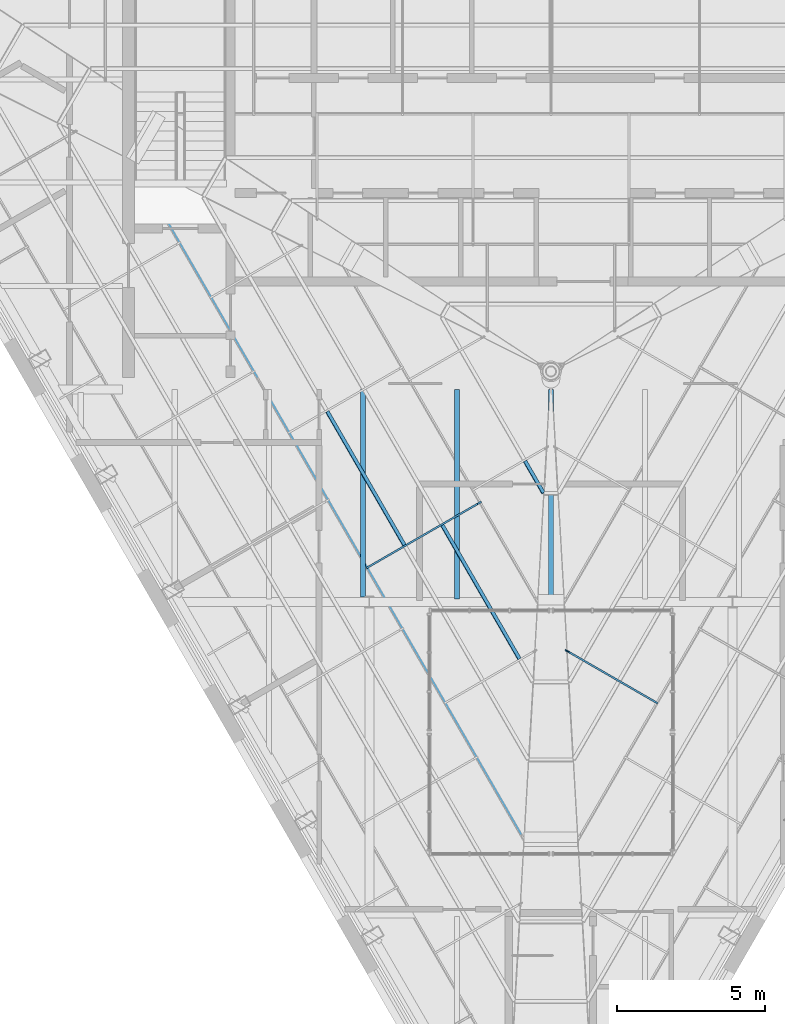
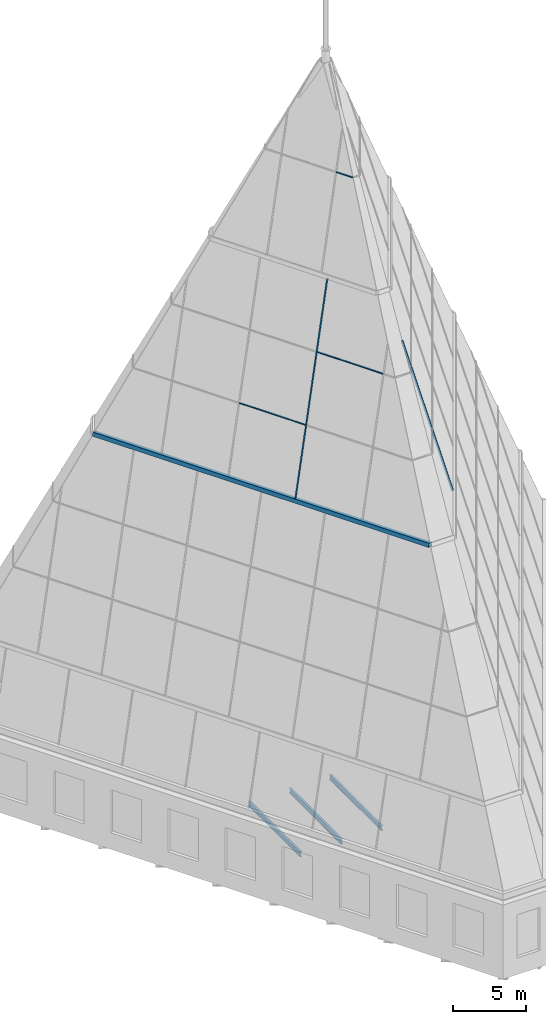
# One storey, part 15 of 36: 6 members, 3 beams, 4 elements without a shape of their own.
"""IFC4 building model written with IfcOpenShell, lengths in metres."""

from ifc_helpers import new_model, si_unit, direction, frame, origin, origin_2d, place, context, subcontext, project, spatial, rectangle, hollow_rectangle, i_section, extrude, clip, halfspace, material, layer, layer_set, material_profile, profile_set, type_object, element, aggregate, save


model = new_model("IFC4")

# Units and contexts
model_context = context("Model", 3, precision=1e-05, world=origin(), true_north=direction((0.0, 1.0)))
body_context = subcontext(model_context, "Body", "Model", "MODEL_VIEW")
ifc_project = project(units=[si_unit("LENGTHUNIT", "METRE"), si_unit("AREAUNIT", "SQUARE_METRE"), si_unit("VOLUMEUNIT", "CUBIC_METRE"), si_unit("PLANEANGLEUNIT", "RADIAN"), si_unit("MASSUNIT", "GRAM", prefix="KILO")], contexts=[model_context])

# Site, building, storey
site_placement = place(None, origin())
site = spatial("IfcSite", under=ifc_project, at=site_placement, CompositionType="ELEMENT")
building_placement = place(site_placement, origin())
building = spatial("IfcBuilding", under=site, at=building_placement, Name="Njiva Tower", CompositionType="ELEMENT")
storey_placement = place(building_placement, frame((0.0, 0.0, 337.8)))
storey = spatial("IfcBuildingStorey", under=building, at=storey_placement, Name="L77", CompositionType="ELEMENT", Elevation=337.8)

# Beams
ifc_material_1 = material(Name="Steel S355 J2", Category="steel")
ifc_material_profile_1 = material_profile(ifc_material_1, i_section(OverallWidth=0.18, OverallDepth=0.4, WebThickness=0.0086, FlangeThickness=0.0135, at=origin_2d()), Name="IPE 400")
ifc_profile_set_1 = profile_set([ifc_material_profile_1], Name="Steel S355 J2")
beam_type = type_object("IfcBeamType", Name="B63 Floor joist IPE 400", PredefinedType="JOIST", material=ifc_profile_set_1)
beam_placement = place(storey_placement, frame((-6.367, 3.995, -0.4), z_axis=(0.0, -1.0, 0.0), x_axis=(1.0, 0.0, 0.0)))
element("IfcBeam", 1, at=beam_placement, inside=storey, type_object=beam_type, Name="Floor joist CR-B039", PredefinedType="JOIST", context=body_context, shape_type="SweptSolid", body=[
    extrude(i_section(OverallWidth=0.18, OverallDepth=0.4, WebThickness=0.0086, FlangeThickness=0.0135, at=origin_2d()), origin(), (0.0, 0.0, 1.0), 7.02),
])
for number, where, z_axis, x_axis, name in (
    (2, (-3.183, 3.995, -0.4), (0.0, -1.0, 0.0), (1.0, 0.0, 0.0), "Floor joist CR-B041"),
    (3, (0.0, 3.995, -0.4), (0.0, -1.0, 0.0), (1.0, 0.0, 0.0), "Floor joist CR-B042"),
):
    element("IfcBeam", number, at=place(storey_placement, frame(where, z_axis=z_axis, x_axis=x_axis)), inside=storey, type_object=beam_type, Name=name, PredefinedType="JOIST", context=body_context, shape_type="SweptSolid", body=[
        extrude(i_section(OverallWidth=0.18, OverallDepth=0.4, WebThickness=0.0086, FlangeThickness=0.0135, at=origin_2d()), origin(), (0.0, 0.0, 1.0), 7.095),
    ])

# Curtain wall, member
ifc_material_2 = material(Name="Glazed curtain wall", Category="glass")
ifc_layer = layer(ifc_material_2, 0.16)
ifc_layer_set = layer_set([ifc_layer], Name="Glazed curtain wall")
curtain_wall_type = type_object("IfcCurtainWallType", Name="CW2 Crown glazing, faceted point, long faces", PredefinedType="NOTDEFINED", material=ifc_layer_set)
curtain_wall_1_placement = place(storey_placement, origin())
curtain_wall_1 = element("IfcCurtainWall", 4, at=curtain_wall_1_placement, inside=storey, type_object=curtain_wall_type, Name="Crown glazing face SW tier 3", PredefinedType="NOTDEFINED")
ifc_material_3 = material(Name="Aluminium mullion", Category="aluminium")
ifc_material_profile_2 = material_profile(ifc_material_3, rectangle(XDim=0.16, YDim=0.06, at=origin_2d()), Name="RECT 160x60")
ifc_profile_set_2 = profile_set([ifc_material_profile_2], Name="Aluminium mullion")
member_type_1 = type_object("IfcMemberType", Name="CW2-M Crown glazing mullion 160x60", PredefinedType="MULLION", material=ifc_profile_set_2)
member_1_placement = place(storey_placement, frame((-6.1851, -2.01, 28.6446), z_axis=(0.230730676449, 0.133215079061, 0.963855330253), x_axis=(-0.834719033186, -0.48193488491, 0.266426166777)))
member_1 = element("IfcMember", 5, at=member_1_placement, type_object=member_type_1, Name="CW2-33 mullion 3", PredefinedType="MULLION", context=body_context, shape_type="Clipping", body=[
    clip(clip(extrude(rectangle(XDim=0.16, YDim=0.06, at=origin_2d()), origin(), (0.0, 0.0, 1.0), 16.3), halfspace(frame((0.08, 0.0, 0.0), z_axis=(2.403674e-06, -2.304212e-06, -0.999999999994), x_axis=(0.0, -0.999999999997, 2.304212e-06)), False)), halfspace(frame((0.08, 0.0, 16.3), z_axis=(-2.403674e-06, 2.304212e-06, 0.999999999994), x_axis=(0.0, 0.999999999997, -2.304212e-06)), False)),
])

curtain_wall_2_placement = place(storey_placement, origin())
curtain_wall_2 = element("IfcCurtainWall", 6, at=curtain_wall_2_placement, inside=storey, type_object=curtain_wall_type, Name="Crown glazing face SE tier 3", PredefinedType="NOTDEFINED")
member_2_placement = place(storey_placement, frame((3.5433, -6.5858, 28.6446), z_axis=(-0.230732980377, 0.133218632255, 0.963854287632), x_axis=(0.834714647889, -0.481940395056, 0.266429938659)))
member_2 = element("IfcMember", 7, at=member_2_placement, type_object=member_type_1, Name="CW2-53 mullion 1", PredefinedType="MULLION", context=body_context, shape_type="Clipping", body=[
    clip(clip(extrude(rectangle(XDim=0.16, YDim=0.06, at=origin_2d()), origin(), (0.0, 0.0, 1.0), 13.0124), halfspace(frame((0.08, 0.0, 0.0), z_axis=(-1.509678e-06, 4.229361e-06, -0.99999999999), x_axis=(0.0, -0.999999999991, -4.229361e-06)), False)), halfspace(frame((0.08, 0.0, 13.0125), z_axis=(1.4744855e-05, -0.926533993771, 0.376211055353), x_axis=(0.0, 0.376211055394, 0.926533993871)), False)),
])
aggregate(curtain_wall_2, [member_2])

curtain_wall_3_placement = place(storey_placement, origin())
curtain_wall_3 = element("IfcCurtainWall", 8, at=curtain_wall_3_placement, inside=storey, type_object=curtain_wall_type, Name="Crown glazing face SW tier 2", PredefinedType="NOTDEFINED")
ifc_material_4 = material(Name="Steel S355 J2H", Category="steel")
ifc_material_profile_3 = material_profile(ifc_material_4, hollow_rectangle(XDim=0.3, YDim=0.4, WallThickness=0.016, at=origin_2d()), Name="BOX 400x300x16")
ifc_profile_set_3 = profile_set([ifc_material_profile_3], Name="Steel S355 J2H")
member_type_2 = type_object("IfcMemberType", Name="CW2-R Crown glazing ring RHS 400x300x16", PredefinedType="USERDEFINED", material=ifc_profile_set_3)
member_3_placement = place(storey_placement, frame((-14.1757, 11.7502, 28.5), z_axis=(0.499999794778, -0.86602552227, 0.0), x_axis=(0.230733866974, 0.133214187306, 0.963854689739)))
member_3 = element("IfcMember", 9, at=member_3_placement, type_object=member_type_2, Name="Crown glazing ring", ObjectType="RING", PredefinedType="USERDEFINED", context=body_context, shape_type="SweptSolid", body=[
    extrude(hollow_rectangle(XDim=0.3, YDim=0.4, WallThickness=0.016, at=origin_2d()), origin(), (0.0, 0.0, 1.0), 26.5402),
])
aggregate(curtain_wall_3, [member_3])

# Member
ifc_material_5 = material(Name="Aluminium transom", Category="aluminium")
ifc_material_profile_4 = material_profile(ifc_material_5, rectangle(XDim=0.12, YDim=0.06, at=origin_2d()), Name="RECT 120x60")
ifc_profile_set_4 = profile_set([ifc_material_profile_4], Name="Aluminium transom")
member_type_3 = type_object("IfcMemberType", Name="CW2-T Crown glazing transom 120x60", PredefinedType="USERDEFINED", material=ifc_profile_set_4)
member_4_placement = place(storey_placement, frame((-7.575, 3.254, 33.8869), z_axis=(0.499997537949, -0.866026825245, 0.0), x_axis=(-0.834724016957, -0.481924971813, 0.266428483949)))
member_4 = element("IfcMember", 10, at=member_4_placement, type_object=member_type_3, Name="CW2-33 transom 3.1", ObjectType="TRANSOM", PredefinedType="USERDEFINED", context=body_context, shape_type="SweptSolid", body=[
    extrude(rectangle(XDim=0.12, YDim=0.06, at=origin_2d()), origin(), (0.0, 0.0, 1.0), 5.2236),
])

member_5_placement = place(storey_placement, frame((-3.6795, -0.598, 39.1238), z_axis=(0.499989248586, -0.866031611027, 0.0), x_axis=(-0.834728629755, -0.481916982071, 0.266428483949)))
member_5 = element("IfcMember", 11, at=member_5_placement, type_object=member_type_3, Name="CW2-33 transom 4.2", ObjectType="TRANSOM", PredefinedType="USERDEFINED", context=body_context, shape_type="SweptSolid", body=[
    extrude(rectangle(XDim=0.12, YDim=0.06, at=origin_2d()), origin(), (0.0, 0.0, 1.0), 5.2237),
])

aggregate(curtain_wall_1, [member_1, member_4, member_5])

# Curtain wall, member
curtain_wall_4_placement = place(storey_placement, origin())
curtain_wall_4 = element("IfcCurtainWall", 12, at=curtain_wall_4_placement, inside=storey, type_object=curtain_wall_type, Name="Crown glazing face SW tier 4", PredefinedType="NOTDEFINED")
member_6_placement = place(storey_placement, frame((-0.8812, 1.5783, 51.8276), z_axis=(0.500018155671, -0.866014921349, 0.0), x_axis=(-0.834712543322, -0.481944844296, 0.266428483982)))
member_6 = element("IfcMember", 13, at=member_6_placement, type_object=member_type_3, Name="CW2-34 transom 3.1", ObjectType="TRANSOM", PredefinedType="USERDEFINED", context=body_context, shape_type="Clipping", body=[
    clip(extrude(rectangle(XDim=0.12, YDim=0.06, at=origin_2d()), origin(), (0.0, 0.0, 1.0), 1.2588), halfspace(frame((0.06, 0.0, 1.2588), z_axis=(1.8722117e-05, -0.376209799033, 0.926534503816), x_axis=(0.0, 0.926534503978, 0.376209799099)), False)),
])
aggregate(curtain_wall_4, [member_6])

save(model, "model.ifc")
